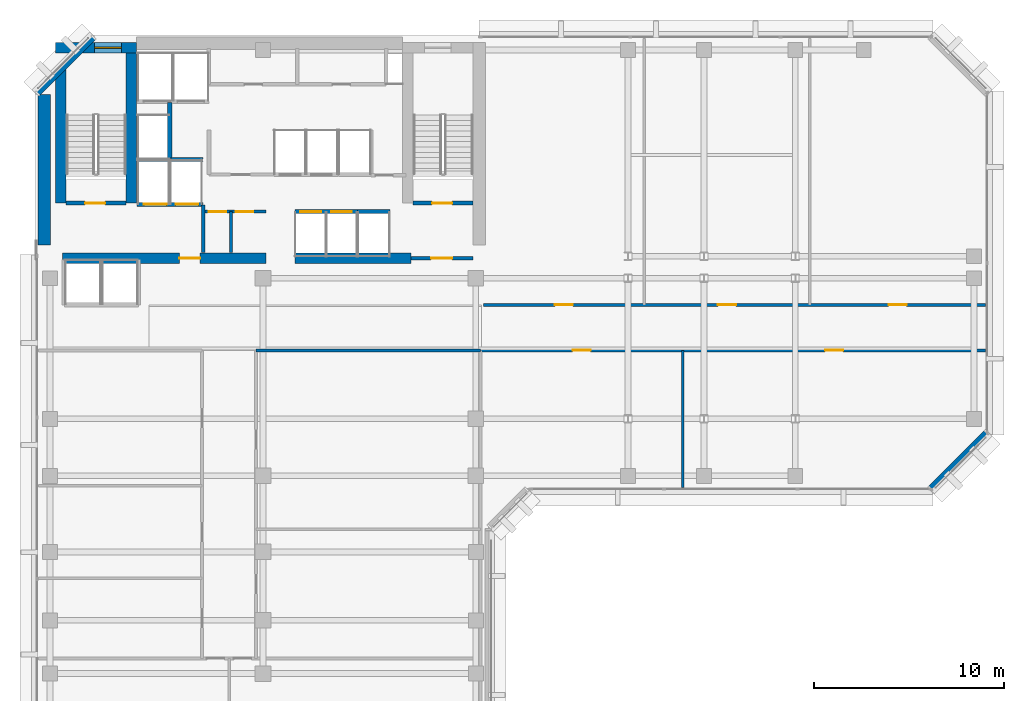
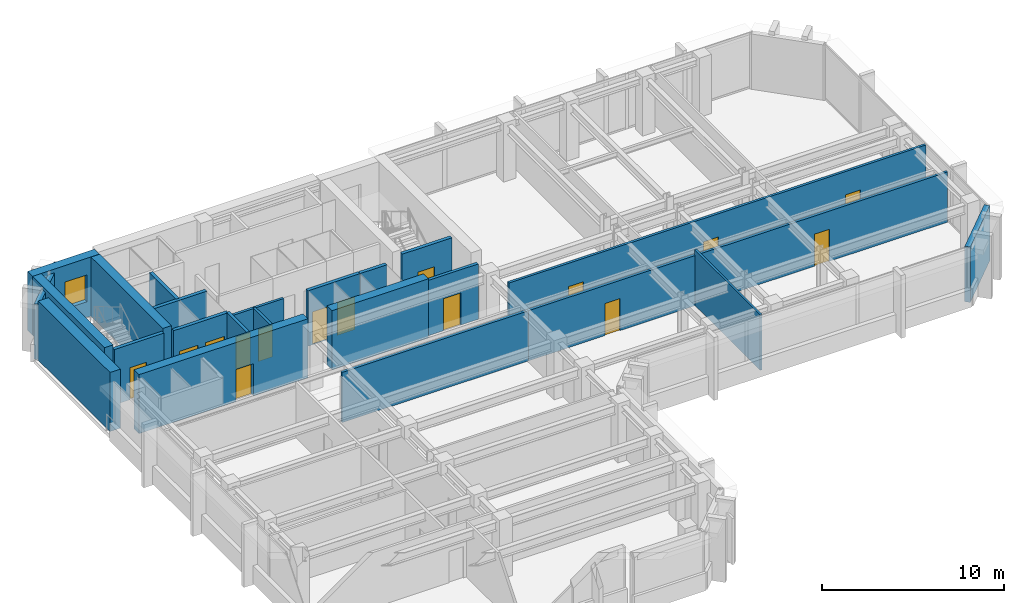
# One storey, part 7 of 12: 23 walls, 15 doors, 1 window, 16 openings.
"""IFC4 building model written with IfcOpenShell, lengths in metres."""

from ifc_helpers import new_model, si_unit, direction, frame, frame_2d, origin, place, context, subcontext, project, spatial, rectangle, extrude, material, layer, layer_set, type_object, element, fill, save


model = new_model("IFC4")

# Units and contexts
model_context = context("Model", 3, precision=1e-05, world=origin(), true_north=direction((0.0, 1.0)))
body_context = subcontext(model_context, "Body", "Model", "MODEL_VIEW")
ifc_project = project(units=[si_unit("LENGTHUNIT", "METRE"), si_unit("AREAUNIT", "SQUARE_METRE"), si_unit("VOLUMEUNIT", "CUBIC_METRE"), si_unit("PLANEANGLEUNIT", "RADIAN"), si_unit("MASSUNIT", "GRAM", prefix="KILO")], contexts=[model_context])

# Site, building, storey
site_placement = place(None, origin())
site = spatial("IfcSite", under=ifc_project, at=site_placement, CompositionType="ELEMENT")
building_placement = place(site_placement, origin())
building = spatial("IfcBuilding", under=site, at=building_placement, Name="Kefirva Bronze Tower", CompositionType="ELEMENT")
storey_placement = place(building_placement, frame((0.0, 0.0, 199.320068359375)))
storey = spatial("IfcBuildingStorey", under=building, at=storey_placement, Name="L48", CompositionType="ELEMENT", Elevation=199.320068359375)

# Wall
ifc_material_1 = material(Name="Gypsum acoustic partition")
ifc_layer_1 = layer(ifc_material_1, 0.1298828125, Name="Gypsum acoustic partition")
ifc_layer_set_1 = layer_set([ifc_layer_1], Name="Gypsum acoustic partition")
wall_type_1 = type_object("IfcWallType", Name="Acoustic Office Partition 130mm", PredefinedType="PARTITIONING", material=ifc_layer_set_1)
wall_1_placement = place(storey_placement, frame((34.073974609375, 22.18994140625, 0.0), z_axis=(0.0, 0.0, 1.0), x_axis=(0.0, 1.0, 0.0)))
element("IfcWall", 1, at=wall_1_placement, inside=storey, type_object=wall_type_1, Name="L48 Partition W-L48-ESD1", PredefinedType="PARTITIONING", context=body_context, shape_type="SweptSolid", body=[
    extrude(rectangle(XDim=7.2099609375, YDim=0.1298828125, at=frame_2d((3.60498046875, 0.0))), origin(), (0.0, 0.0, 1.0), 3.7099609375),
])

# Wall, opening, door
ifc_material_2 = material(Name="Gypsum fireboard shaftwall")
ifc_layer_2 = layer(ifc_material_2, 0.219970703125, Name="Gypsum fireboard shaftwall")
ifc_layer_set_2 = layer_set([ifc_layer_2], Name="Gypsum fireboard shaftwall")
wall_type_2 = type_object("IfcWallType", Name="Fire-Rated Shaft Enclosure Wall 220mm", PredefinedType="PARTITIONING", material=ifc_layer_set_2)
wall_2_placement = place(storey_placement, frame((1.64990234375, 37.14990234375, 0.0), z_axis=(0.0, 0.0, 1.0), x_axis=(1.0, 0.0, 0.0)))
wall_2 = element("IfcWall", 2, at=wall_2_placement, inside=storey, type_object=wall_type_2, Name="L48 Partition W-L48-ST1S", PredefinedType="PARTITIONING", context=body_context, shape_type="SweptSolid", body=[
    extrude(rectangle(XDim=3.150146484375, YDim=0.219970703125, at=frame_2d((1.5751953125, 0.0))), origin(), (0.0, 0.0, 1.0), 3.7099609375),
])
opening_1_placement = place(wall_2_placement, frame((2.050048828125, 0.0, 0.0), z_axis=(0.0, 0.0, 1.0), x_axis=(-1.0, 0.0, 0.0)))
opening_1 = element("IfcOpeningElement", 3, at=opening_1_placement, cuts=wall_2, Name="Opening L48-D001", PredefinedType="OPENING", context=body_context, shape_type="SweptSolid", body=[
    extrude(rectangle(XDim=1.050048828125, YDim=2.14990234375, at=frame_2d((0.52490234375, 1.074951171875))), frame((0.0, 0.1201171875, 0.0), z_axis=(0.0, -1.0, 0.0), x_axis=(1.0, 0.0, 0.0)), (0.0, 0.0, 1.0), 0.239990234375),
])
ifc_material_3 = material(Name="Painted galvanized steel", Category="steel")
door_type_1 = type_object("IfcDoorType", Name="Fire Stair Enclosure Door 1050x2150 FD90S", OperationType="NOTDEFINED", PredefinedType="DOOR", material=ifc_material_3)
door_1_placement = place(opening_1_placement, origin())
door_1 = element("IfcDoor", 4, at=door_1_placement, inside=storey, type_object=door_type_1, Name="Door L48-D001", OperationType="SINGLE_SWING_RIGHT", OverallHeight=2.14990234375, OverallWidth=1.050048828125, PredefinedType="DOOR", context=body_context, shape_type="SweptSolid", body=[
    extrude(rectangle(XDim=1.050048828125, YDim=2.14990234375, at=frame_2d((0.52490234375, 1.074951171875))), frame((0.0, 0.02490234375, 0.0), z_axis=(0.0, -1.0, 0.0), x_axis=(1.0, 0.0, 0.0)), (0.0, 0.0, 1.0), 0.050048828125),
])
fill(opening_1, door_1)

wall_3_placement = place(storey_placement, frame((19.89990234375, 37.14990234375, 0.0), z_axis=(0.0, 0.0, 1.0), x_axis=(1.0, 0.0, 0.0)))
wall_3 = element("IfcWall", 5, at=wall_3_placement, inside=storey, type_object=wall_type_2, Name="L48 Partition W-L48-ST2S", PredefinedType="PARTITIONING", context=body_context, shape_type="SweptSolid", body=[
    extrude(rectangle(XDim=3.150146484375, YDim=0.219970703125, at=frame_2d((1.5751953125, 0.0))), origin(), (0.0, 0.0, 1.0), 3.7099609375),
])
opening_2_placement = place(wall_3_placement, frame((2.050048828125, 0.0, 0.0), z_axis=(0.0, 0.0, 1.0), x_axis=(-1.0, 0.0, 0.0)))
opening_2 = element("IfcOpeningElement", 6, at=opening_2_placement, cuts=wall_3, Name="Opening L48-D003", PredefinedType="OPENING", context=body_context, shape_type="SweptSolid", body=[
    extrude(rectangle(XDim=1.050048828125, YDim=2.14990234375, at=frame_2d((0.52490234375, 1.074951171875))), frame((0.0, 0.1201171875, 0.0), z_axis=(0.0, -1.0, 0.0), x_axis=(1.0, 0.0, 0.0)), (0.0, 0.0, 1.0), 0.239990234375),
])
door_2_placement = place(opening_2_placement, origin())
door_2 = element("IfcDoor", 7, at=door_2_placement, inside=storey, type_object=door_type_1, Name="Door L48-D003", OperationType="SINGLE_SWING_RIGHT", OverallHeight=2.14990234375, OverallWidth=1.050048828125, PredefinedType="DOOR", context=body_context, shape_type="SweptSolid", body=[
    extrude(rectangle(XDim=1.050048828125, YDim=2.14990234375, at=frame_2d((0.52490234375, 1.074951171875))), frame((0.0, 0.02490234375, 0.0), z_axis=(0.0, -1.0, 0.0), x_axis=(1.0, 0.0, 0.0)), (0.0, 0.0, 1.0), 0.050048828125),
])
fill(opening_2, door_2)

# Wall, openings, doors
wall_4_placement = place(storey_placement, frame((5.3798828125, 37.080078125, 0.0), z_axis=(0.0, 0.0, 1.0), x_axis=(1.0, 0.0, 0.0)))
wall_4 = element("IfcWall", 8, at=wall_4_placement, inside=storey, type_object=wall_type_2, Name="L48 Partition W-L48-FFS", PredefinedType="PARTITIONING", context=body_context, shape_type="SweptSolid", body=[
    extrude(rectangle(XDim=3.460205078125, YDim=0.219970703125, at=frame_2d((1.72998046875, 0.0))), origin(), (0.0, 0.0, 1.0), 3.7099609375),
])
opening_3_placement = place(wall_4_placement, frame((1.550048828125, 0.0, 0.0), z_axis=(0.0, 0.0, 1.0), x_axis=(-1.0, 0.0, 0.0)))
opening_3 = element("IfcOpeningElement", 9, at=opening_3_placement, cuts=wall_4, Name="Opening L48-LD-FF1", PredefinedType="OPENING", context=body_context, shape_type="SweptSolid", body=[
    extrude(rectangle(XDim=1.199951171875, YDim=2.199951171875, at=frame_2d((0.60009765625, 1.10009765625))), frame((0.0, 0.1201171875, 0.0), z_axis=(0.0, -1.0, 0.0), x_axis=(1.0, 0.0, 0.0)), (0.0, 0.0, 1.0), 0.239990234375),
])
opening_4_placement = place(wall_4_placement, frame((3.219970703125, 0.0, 0.0), z_axis=(0.0, 0.0, 1.0), x_axis=(-1.0, 0.0, 0.0)))
opening_4 = element("IfcOpeningElement", 10, at=opening_4_placement, cuts=wall_4, Name="Opening L48-LD-FF2", PredefinedType="OPENING", context=body_context, shape_type="SweptSolid", body=[
    extrude(rectangle(XDim=1.199951171875, YDim=2.199951171875, at=frame_2d((0.60009765625, 1.10009765625))), frame((0.0, 0.1201171875, 0.0), z_axis=(0.0, -1.0, 0.0), x_axis=(1.0, 0.0, 0.0)), (0.0, 0.0, 1.0), 0.239990234375),
])
ifc_material_4 = material(Name="Stainless steel 316", Category="steel")
door_type_2 = type_object("IfcDoorType", Name="Firefighting Lift Sliding Door 1200x2200", OperationType="SLIDING_TO_RIGHT", PredefinedType="DOOR", material=ifc_material_4)
door_3_placement = place(opening_3_placement, origin())
door_3 = element("IfcDoor", 11, at=door_3_placement, inside=storey, type_object=door_type_2, Name="Door L48-LD-FF1", OperationType="SLIDING_TO_RIGHT", OverallHeight=2.199951171875, OverallWidth=1.199951171875, PredefinedType="DOOR", context=body_context, shape_type="SweptSolid", body=[
    extrude(rectangle(XDim=1.199951171875, YDim=2.199951171875, at=frame_2d((0.60009765625, 1.10009765625))), frame((0.0, 0.02490234375, 0.0), z_axis=(0.0, -1.0, 0.0), x_axis=(1.0, 0.0, 0.0)), (0.0, 0.0, 1.0), 0.050048828125),
])
fill(opening_3, door_3)
door_4_placement = place(opening_4_placement, origin())
door_4 = element("IfcDoor", 12, at=door_4_placement, inside=storey, type_object=door_type_2, Name="Door L48-LD-FF2", OperationType="SLIDING_TO_RIGHT", OverallHeight=2.199951171875, OverallWidth=1.199951171875, PredefinedType="DOOR", context=body_context, shape_type="SweptSolid", body=[
    extrude(rectangle(XDim=1.199951171875, YDim=2.199951171875, at=frame_2d((0.60009765625, 1.10009765625))), frame((0.0, 0.02490234375, 0.0), z_axis=(0.0, -1.0, 0.0), x_axis=(1.0, 0.0, 0.0)), (0.0, 0.0, 1.0), 0.050048828125),
])
fill(opening_4, door_4)

# Walls
wall_5_placement = place(storey_placement, frame((5.3798828125, 39.449951171875, 0.0), z_axis=(0.0, 0.0, 1.0), x_axis=(1.0, 0.0, 0.0)))
element("IfcWall", 13, at=wall_5_placement, inside=storey, type_object=wall_type_2, Name="L48 Partition W-L48-FFN", PredefinedType="PARTITIONING", context=body_context, shape_type="SweptSolid", body=[
    extrude(rectangle(XDim=3.460205078125, YDim=0.219970703125, at=frame_2d((1.72998046875, 0.0))), origin(), (0.0, 0.0, 1.0), 3.7099609375),
])
wall_6_placement = place(storey_placement, frame((7.10009765625, 39.52001953125, 0.0), z_axis=(0.0, 0.0, 1.0), x_axis=(0.0, 1.0, 0.0)))
element("IfcWall", 14, at=wall_6_placement, inside=storey, type_object=wall_type_2, Name="L48 Partition W-L48-HP3E", PredefinedType="PARTITIONING", context=body_context, shape_type="SweptSolid", body=[
    extrude(rectangle(XDim=2.929931640625, YDim=0.219970703125, at=frame_2d((1.46484375, 0.0))), origin(), (0.0, 0.0, 1.0), 3.7099609375),
])

# Wall, openings, doors
wall_7_placement = place(storey_placement, frame((13.679931640625, 36.699951171875, 0.0), z_axis=(0.0, 0.0, 1.0), x_axis=(1.0, 0.0, 0.0)))
wall_7 = element("IfcWall", 15, at=wall_7_placement, inside=storey, type_object=wall_type_2, Name="L48 Partition W-L48-MPS", PredefinedType="PARTITIONING", context=body_context, shape_type="SweptSolid", body=[
    extrude(rectangle(XDim=3.280029296875, YDim=0.219970703125, at=frame_2d((1.64013671875, 0.0))), origin(), (0.0, 0.0, 1.0), 3.7099609375),
])
opening_5_placement = place(wall_7_placement, frame((0.280029296875, 0.0, 0.0)))
opening_5 = element("IfcOpeningElement", 16, at=opening_5_placement, cuts=wall_7, Name="Opening L48-LD-MP1", PredefinedType="OPENING", context=body_context, shape_type="SweptSolid", body=[
    extrude(rectangle(XDim=1.10009765625, YDim=2.199951171875, at=frame_2d((0.550048828125, 1.10009765625))), frame((0.0, 0.1201171875, 0.0), z_axis=(0.0, -1.0, 0.0), x_axis=(1.0, 0.0, 0.0)), (0.0, 0.0, 1.0), 0.239990234375),
])
opening_6_placement = place(wall_7_placement, frame((1.89990234375, 0.0, 0.0)))
opening_6 = element("IfcOpeningElement", 17, at=opening_6_placement, cuts=wall_7, Name="Opening L48-LD-MP2", PredefinedType="OPENING", context=body_context, shape_type="SweptSolid", body=[
    extrude(rectangle(XDim=1.10009765625, YDim=2.199951171875, at=frame_2d((0.550048828125, 1.10009765625))), frame((0.0, 0.1201171875, 0.0), z_axis=(0.0, -1.0, 0.0), x_axis=(1.0, 0.0, 0.0)), (0.0, 0.0, 1.0), 0.239990234375),
])
door_type_3 = type_object("IfcDoorType", Name="Passenger Lift Sliding Landing Door 1100x2200", OperationType="SLIDING_TO_LEFT", PredefinedType="DOOR", material=ifc_material_4)
door_5_placement = place(opening_5_placement, origin())
door_5 = element("IfcDoor", 18, at=door_5_placement, inside=storey, type_object=door_type_3, Name="Door L48-LD-MP1", OperationType="SLIDING_TO_RIGHT", OverallHeight=2.199951171875, OverallWidth=1.10009765625, PredefinedType="DOOR", context=body_context, shape_type="SweptSolid", body=[
    extrude(rectangle(XDim=1.10009765625, YDim=2.199951171875, at=frame_2d((0.550048828125, 1.10009765625))), frame((0.0, 0.02490234375, 0.0), z_axis=(0.0, -1.0, 0.0), x_axis=(1.0, 0.0, 0.0)), (0.0, 0.0, 1.0), 0.050048828125),
])
fill(opening_5, door_5)
door_6_placement = place(opening_6_placement, origin())
door_6 = element("IfcDoor", 19, at=door_6_placement, inside=storey, type_object=door_type_3, Name="Door L48-LD-MP2", OperationType="SLIDING_TO_RIGHT", OverallHeight=2.199951171875, OverallWidth=1.10009765625, PredefinedType="DOOR", context=body_context, shape_type="SweptSolid", body=[
    extrude(rectangle(XDim=1.10009765625, YDim=2.199951171875, at=frame_2d((0.550048828125, 1.10009765625))), frame((0.0, 0.02490234375, 0.0), z_axis=(0.0, -1.0, 0.0), x_axis=(1.0, 0.0, 0.0)), (0.0, 0.0, 1.0), 0.050048828125),
])
fill(opening_6, door_6)

# Walls
wall_8_placement = place(storey_placement, frame((16.97998046875, 36.699951171875, 0.0), z_axis=(0.0, 0.0, 1.0), x_axis=(1.0, 0.0, 0.0)))
element("IfcWall", 20, at=wall_8_placement, inside=storey, type_object=wall_type_2, Name="L48 Partition W-L48-HPS", PredefinedType="PARTITIONING", context=body_context, shape_type="SweptSolid", body=[
    extrude(rectangle(XDim=1.699951171875, YDim=0.219970703125, at=frame_2d((0.85009765625, 0.0))), origin(), (0.0, 0.0, 1.0), 3.7099609375),
])
ifc_material_5 = material(Name="Gypsum fireboard barrier")
ifc_layer_3 = layer(ifc_material_5, 0.199951171875, Name="Gypsum fireboard barrier")
ifc_layer_set_3 = layer_set([ifc_layer_3], Name="Gypsum fireboard barrier")
wall_type_3 = type_object("IfcWallType", Name="Firefighting Lobby Barrier Wall 200mm", PredefinedType="PARTITIONING", material=ifc_layer_set_3)
wall_9_placement = place(storey_placement, frame((8.860107421875, 34.550048828125, 0.0), z_axis=(0.0, 0.0, 1.0), x_axis=(0.0, 1.0, 0.0)))
element("IfcWall", 21, at=wall_9_placement, inside=storey, type_object=wall_type_3, Name="L48 Partition W-L48-FFLE", PredefinedType="PARTITIONING", context=body_context, shape_type="SweptSolid", body=[
    extrude(rectangle(XDim=2.5, YDim=0.199951171875, at=frame_2d((1.25, 0.0))), origin(), (0.0, 0.0, 1.0), 3.7099609375),
])

# Wall, opening, door
wall_10_placement = place(storey_placement, frame((19.800048828125, 34.25, 0.0), z_axis=(0.0, 0.0, 1.0), x_axis=(1.0, 0.0, 0.0)))
wall_10 = element("IfcWall", 22, at=wall_10_placement, inside=storey, type_object=wall_type_3, Name="L48 Partition W-L48-ST2F", PredefinedType="PARTITIONING", context=body_context, shape_type="SweptSolid", body=[
    extrude(rectangle(XDim=3.25, YDim=0.199951171875, at=frame_2d((1.625, 0.0))), origin(), (0.0, 0.0, 1.0), 3.7099609375),
])
opening_7_placement = place(wall_10_placement, frame((2.150146484375, 0.0, 0.0), z_axis=(0.0, 0.0, 1.0), x_axis=(-1.0, 0.0, 0.0)))
opening_7 = element("IfcOpeningElement", 23, at=opening_7_placement, cuts=wall_10, Name="Opening L48-D004", PredefinedType="OPENING", context=body_context, shape_type="SweptSolid", body=[
    extrude(rectangle(XDim=1.10009765625, YDim=2.14990234375, at=frame_2d((0.550048828125, 1.074951171875))), frame((0.0, 0.10986328125, 0.0), z_axis=(0.0, -1.0, 0.0), x_axis=(1.0, 0.0, 0.0)), (0.0, 0.0, 1.0), 0.219970703125),
])
door_type_4 = type_object("IfcDoorType", Name="Firefighting Lobby Smoke Door 1100x2150 FD60S", OperationType="NOTDEFINED", PredefinedType="DOOR", material=ifc_material_3)
door_7_placement = place(opening_7_placement, origin())
door_7 = element("IfcDoor", 24, at=door_7_placement, inside=storey, type_object=door_type_4, Name="Door L48-D004", OperationType="SINGLE_SWING_LEFT", OverallHeight=2.14990234375, OverallWidth=1.10009765625, PredefinedType="DOOR", context=body_context, shape_type="SweptSolid", body=[
    extrude(rectangle(XDim=1.10009765625, YDim=2.14990234375, at=frame_2d((0.550048828125, 1.074951171875))), frame((0.0, 0.02490234375, 0.0), z_axis=(0.0, -1.0, 0.0), x_axis=(1.0, 0.0, 0.0)), (0.0, 0.0, 1.0), 0.050048828125),
])
fill(opening_7, door_7)

# Walls
ifc_material_6 = material(Name="Precast concrete C40/50", Category="concrete")
ifc_layer_4 = layer(ifc_material_6, 0.320068359375, Name="Precast concrete C40/50")
ifc_layer_set_4 = layer_set([ifc_layer_4], Name="Precast concrete C40/50")
wall_type_4 = type_object("IfcWallType", Name="Precast Insulated Exterior Wall 320mm", PredefinedType="SOLIDWALL", material=ifc_layer_set_4)
for number, where, z_axis, x_axis, name in (
    (25, (47.125732421875, 22.152099609375, 0.0), (0.0, 0.0, 1.0), (0.707136318428, 0.707077242712, 0.0), "L48 Exterior Facade Wall 7"),
    (26, (3.07421875, 45.847900390625, 0.0), (0.0, 0.0, 1.0), (-0.707106781187, -0.707106781187, 0.0), "L48 Exterior Facade Wall 9"),
):
    element("IfcWall", number, at=place(storey_placement, frame(where, z_axis=z_axis, x_axis=x_axis)), inside=storey, type_object=wall_type_4, Name=name, PredefinedType="SOLIDWALL", context=body_context, shape_type="SweptSolid", body=[
        extrude(rectangle(XDim=4.132568359375, YDim=0.320068359375, at=frame_2d((2.06640625, 0.0))), origin(), (0.0, 0.0, 1.0), 3.7099609375),
    ])

# Wall, openings, doors
ifc_layer_5 = layer(ifc_material_1, 0.159912109375, Name="Gypsum acoustic partition")
ifc_layer_set_5 = layer_set([ifc_layer_5], Name="Gypsum acoustic partition")
wall_type_5 = type_object("IfcWallType", Name="Protected Corridor Partition 160mm", PredefinedType="PARTITIONING", material=ifc_layer_set_5)
wall_11_placement = place(storey_placement, frame((8.89990234375, 36.699951171875, 0.0), z_axis=(0.0, 0.0, 1.0), x_axis=(1.0, 0.0, 0.0)))
wall_11 = element("IfcWall", 27, at=wall_11_placement, inside=storey, type_object=wall_type_5, Name="L48 Partition W-L48-RECLP1", PredefinedType="PARTITIONING", context=body_context, shape_type="SweptSolid", body=[
    extrude(rectangle(XDim=3.25, YDim=0.159912109375, at=frame_2d((1.625, 0.0))), origin(), (0.0, 0.0, 1.0), 3.7099609375),
])
opening_8_placement = place(wall_11_placement, frame((0.260009765625, 0.0, 0.0)))
opening_8 = element("IfcOpeningElement", 28, at=opening_8_placement, cuts=wall_11, Name="Opening L48-D-RECLP1A", PredefinedType="OPENING", context=body_context, shape_type="SweptSolid", body=[
    extrude(rectangle(XDim=0.89990234375, YDim=2.14990234375, at=frame_2d((0.449951171875, 1.074951171875))), frame((0.0, 0.08984375, 0.0), z_axis=(0.0, -1.0, 0.0), x_axis=(1.0, 0.0, 0.0)), (0.0, 0.0, 1.0), 0.179931640625),
])
opening_9_placement = place(wall_11_placement, frame((1.679931640625, 0.0, 0.0)))
opening_9 = element("IfcOpeningElement", 29, at=opening_9_placement, cuts=wall_11, Name="Opening L48-D-RECLP1B", PredefinedType="OPENING", context=body_context, shape_type="SweptSolid", body=[
    extrude(rectangle(XDim=0.89990234375, YDim=2.14990234375, at=frame_2d((0.449951171875, 1.074951171875))), frame((0.0, 0.08984375, 0.0), z_axis=(0.0, -1.0, 0.0), x_axis=(1.0, 0.0, 0.0)), (0.0, 0.0, 1.0), 0.179931640625),
])
door_type_5 = type_object("IfcDoorType", Name="Core Archive & Server Fire Door 900x2150 FD60S", OperationType="NOTDEFINED", PredefinedType="DOOR", material=ifc_material_3)
door_8_placement = place(opening_8_placement, origin())
door_8 = element("IfcDoor", 30, at=door_8_placement, inside=storey, type_object=door_type_5, Name="Door L48-D-RECLP1A", OperationType="SINGLE_SWING_LEFT", OverallHeight=2.14990234375, OverallWidth=0.89990234375, PredefinedType="DOOR", context=body_context, shape_type="SweptSolid", body=[
    extrude(rectangle(XDim=0.89990234375, YDim=2.14990234375, at=frame_2d((0.449951171875, 1.074951171875))), frame((0.0, 0.02490234375, 0.0), z_axis=(0.0, -1.0, 0.0), x_axis=(1.0, 0.0, 0.0)), (0.0, 0.0, 1.0), 0.050048828125),
])
fill(opening_8, door_8)
door_9_placement = place(opening_9_placement, origin())
door_9 = element("IfcDoor", 31, at=door_9_placement, inside=storey, type_object=door_type_5, Name="Door L48-D-RECLP1B", OperationType="SINGLE_SWING_RIGHT", OverallHeight=2.14990234375, OverallWidth=0.89990234375, PredefinedType="DOOR", context=body_context, shape_type="SweptSolid", body=[
    extrude(rectangle(XDim=0.89990234375, YDim=2.14990234375, at=frame_2d((0.449951171875, 1.074951171875))), frame((0.0, 0.02490234375, 0.0), z_axis=(0.0, -1.0, 0.0), x_axis=(1.0, 0.0, 0.0)), (0.0, 0.0, 1.0), 0.050048828125),
])
fill(opening_9, door_9)

# Walls
wall_12_placement = place(storey_placement, frame((10.320068359375, 34.550048828125, 0.0), z_axis=(0.0, 0.0, 1.0), x_axis=(0.0, 1.0, 0.0)))
element("IfcWall", 32, at=wall_12_placement, inside=storey, type_object=wall_type_5, Name="L48 Partition W-L48-RECLP1D", PredefinedType="PARTITIONING", context=body_context, shape_type="SweptSolid", body=[
    extrude(rectangle(XDim=2.14990234375, YDim=0.159912109375, at=frame_2d((1.074951171875, 0.0))), origin(), (0.0, 0.0, 1.0), 3.7099609375),
])
wall_13_placement = place(storey_placement, frame((11.639892578125, 29.39990234375, 0.0), z_axis=(0.0, 0.0, 1.0), x_axis=(1.0, 0.0, 0.0)))
element("IfcWall", 33, at=wall_13_placement, inside=storey, type_object=wall_type_5, Name="L48 Partition W-L48-NET", PredefinedType="PARTITIONING", context=body_context, shape_type="SweptSolid", body=[
    extrude(rectangle(XDim=11.81005859375, YDim=0.159912109375, at=frame_2d((5.905029296875, 0.0))), origin(), (0.0, 0.0, 1.0), 3.364990234375),
])

# Wall, openings, doors
wall_14_placement = place(storey_placement, frame((23.449951171875, 29.39990234375, 0.0), z_axis=(0.0, 0.0, 1.0), x_axis=(1.0, 0.0, 0.0)))
wall_14 = element("IfcWall", 34, at=wall_14_placement, inside=storey, type_object=wall_type_5, Name="L48 Partition W-L48-EWS", PredefinedType="PARTITIONING", context=body_context, shape_type="SweptSolid", body=[
    extrude(rectangle(XDim=26.56005859375, YDim=0.159912109375, at=frame_2d((13.280029296875, 0.0))), origin(), (0.0, 0.0, 1.0), 3.364990234375),
])
opening_10_placement = place(wall_14_placement, frame((5.786865234375, 0.0, 0.0), z_axis=(0.0, 0.0, 1.0), x_axis=(-1.0, 0.0, 0.0)))
opening_10 = element("IfcOpeningElement", 35, at=opening_10_placement, cuts=wall_14, Name="Opening L48-D-ES1", PredefinedType="OPENING", context=body_context, shape_type="SweptSolid", body=[
    extrude(rectangle(XDim=0.949951171875, YDim=2.14990234375, at=frame_2d((0.47509765625, 1.074951171875))), frame((0.0, 0.08984375, 0.0), z_axis=(0.0, -1.0, 0.0), x_axis=(1.0, 0.0, 0.0)), (0.0, 0.0, 1.0), 0.179931640625),
])
opening_11_placement = place(wall_14_placement, frame((19.06689453125, 0.0, 0.0), z_axis=(0.0, 0.0, 1.0), x_axis=(-1.0, 0.0, 0.0)))
opening_11 = element("IfcOpeningElement", 36, at=opening_11_placement, cuts=wall_14, Name="Opening L48-D-ES2", PredefinedType="OPENING", context=body_context, shape_type="SweptSolid", body=[
    extrude(rectangle(XDim=0.949951171875, YDim=2.14990234375, at=frame_2d((0.47509765625, 1.074951171875))), frame((0.0, 0.08984375, 0.0), z_axis=(0.0, -1.0, 0.0), x_axis=(1.0, 0.0, 0.0)), (0.0, 0.0, 1.0), 0.179931640625),
])
ifc_material_7 = material(Name="Acoustic hardwood oak", Category="wood")
door_type_6 = type_object("IfcDoorType", Name="Office & Meeting Room Door 950x2150", OperationType="NOTDEFINED", PredefinedType="DOOR", material=ifc_material_7)
door_10_placement = place(opening_10_placement, origin())
door_10 = element("IfcDoor", 37, at=door_10_placement, inside=storey, type_object=door_type_6, Name="Door L48-D-ES1", OperationType="SINGLE_SWING_LEFT", OverallHeight=2.14990234375, OverallWidth=0.949951171875, PredefinedType="DOOR", context=body_context, shape_type="SweptSolid", body=[
    extrude(rectangle(XDim=0.949951171875, YDim=2.14990234375, at=frame_2d((0.47509765625, 1.074951171875))), frame((0.0, 0.02490234375, 0.0), z_axis=(0.0, -1.0, 0.0), x_axis=(1.0, 0.0, 0.0)), (0.0, 0.0, 1.0), 0.050048828125),
])
fill(opening_10, door_10)
door_11_placement = place(opening_11_placement, origin())
door_11 = element("IfcDoor", 38, at=door_11_placement, inside=storey, type_object=door_type_6, Name="Door L48-D-ES2", OperationType="SINGLE_SWING_RIGHT", OverallHeight=2.14990234375, OverallWidth=0.949951171875, PredefinedType="DOOR", context=body_context, shape_type="SweptSolid", body=[
    extrude(rectangle(XDim=0.949951171875, YDim=2.14990234375, at=frame_2d((0.47509765625, 1.074951171875))), frame((0.0, 0.02490234375, 0.0), z_axis=(0.0, -1.0, 0.0), x_axis=(1.0, 0.0, 0.0)), (0.0, 0.0, 1.0), 0.050048828125),
])
fill(opening_11, door_11)

wall_15_placement = place(storey_placement, frame((23.60009765625, 31.800048828125, 0.0), z_axis=(0.0, 0.0, 1.0), x_axis=(1.0, 0.0, 0.0)))
wall_15 = element("IfcWall", 39, at=wall_15_placement, inside=storey, type_object=wall_type_5, Name="L48 Partition W-L48-EWN", PredefinedType="PARTITIONING", context=body_context, shape_type="SweptSolid", body=[
    extrude(rectangle(XDim=26.409912109375, YDim=0.159912109375, at=frame_2d((13.205078125, 0.0))), origin(), (0.0, 0.0, 1.0), 3.7099609375),
])
opening_12_placement = place(wall_15_placement, frame((3.75048828125, 0.0, 0.0)))
opening_12 = element("IfcOpeningElement", 40, at=opening_12_placement, cuts=wall_15, Name="Opening L48-D-EN1", PredefinedType="OPENING", context=body_context, shape_type="SweptSolid", body=[
    extrude(rectangle(XDim=0.949951171875, YDim=2.14990234375, at=frame_2d((0.47509765625, 1.074951171875))), frame((0.0, 0.08984375, 0.0), z_axis=(0.0, -1.0, 0.0), x_axis=(1.0, 0.0, 0.0)), (0.0, 0.0, 1.0), 0.179931640625),
])
opening_13_placement = place(wall_15_placement, frame((12.333740234375, 0.0, 0.0)))
opening_13 = element("IfcOpeningElement", 41, at=opening_13_placement, cuts=wall_15, Name="Opening L48-D-EN2", PredefinedType="OPENING", context=body_context, shape_type="SweptSolid", body=[
    extrude(rectangle(XDim=0.949951171875, YDim=2.14990234375, at=frame_2d((0.47509765625, 1.074951171875))), frame((0.0, 0.08984375, 0.0), z_axis=(0.0, -1.0, 0.0), x_axis=(1.0, 0.0, 0.0)), (0.0, 0.0, 1.0), 0.179931640625),
])
opening_14_placement = place(wall_15_placement, frame((21.313232421875, 0.0, 0.0)))
opening_14 = element("IfcOpeningElement", 42, at=opening_14_placement, cuts=wall_15, Name="Opening L48-D-EN3", PredefinedType="OPENING", context=body_context, shape_type="SweptSolid", body=[
    extrude(rectangle(XDim=0.949951171875, YDim=2.14990234375, at=frame_2d((0.47509765625, 1.074951171875))), frame((0.0, 0.08984375, 0.0), z_axis=(0.0, -1.0, 0.0), x_axis=(1.0, 0.0, 0.0)), (0.0, 0.0, 1.0), 0.179931640625),
])
door_12_placement = place(opening_12_placement, origin())
door_12 = element("IfcDoor", 43, at=door_12_placement, inside=storey, type_object=door_type_6, Name="Door L48-D-EN1", OperationType="SINGLE_SWING_LEFT", OverallHeight=2.14990234375, OverallWidth=0.949951171875, PredefinedType="DOOR", context=body_context, shape_type="SweptSolid", body=[
    extrude(rectangle(XDim=0.949951171875, YDim=2.14990234375, at=frame_2d((0.47509765625, 1.074951171875))), frame((0.0, 0.02490234375, 0.0), z_axis=(0.0, -1.0, 0.0), x_axis=(1.0, 0.0, 0.0)), (0.0, 0.0, 1.0), 0.050048828125),
])
fill(opening_12, door_12)
door_13_placement = place(opening_13_placement, origin())
door_13 = element("IfcDoor", 44, at=door_13_placement, inside=storey, type_object=door_type_6, Name="Door L48-D-EN2", OperationType="SINGLE_SWING_RIGHT", OverallHeight=2.14990234375, OverallWidth=0.949951171875, PredefinedType="DOOR", context=body_context, shape_type="SweptSolid", body=[
    extrude(rectangle(XDim=0.949951171875, YDim=2.14990234375, at=frame_2d((0.47509765625, 1.074951171875))), frame((0.0, 0.02490234375, 0.0), z_axis=(0.0, -1.0, 0.0), x_axis=(1.0, 0.0, 0.0)), (0.0, 0.0, 1.0), 0.050048828125),
])
fill(opening_13, door_13)
door_14_placement = place(opening_14_placement, origin())
door_14 = element("IfcDoor", 45, at=door_14_placement, inside=storey, type_object=door_type_6, Name="Door L48-D-EN3", OperationType="SINGLE_SWING_LEFT", OverallHeight=2.14990234375, OverallWidth=0.949951171875, PredefinedType="DOOR", context=body_context, shape_type="SweptSolid", body=[
    extrude(rectangle(XDim=0.949951171875, YDim=2.14990234375, at=frame_2d((0.47509765625, 1.074951171875))), frame((0.0, 0.02490234375, 0.0), z_axis=(0.0, -1.0, 0.0), x_axis=(1.0, 0.0, 0.0)), (0.0, 0.0, 1.0), 0.050048828125),
])
fill(opening_14, door_14)

# Wall, opening, window
ifc_material_8 = material(Name="Concrete C50/60", Category="concrete")
ifc_layer_6 = layer(ifc_material_8, 0.550048828125, Name="Concrete C50/60")
ifc_layer_set_6 = layer_set([ifc_layer_6], Name="Concrete C50/60")
wall_type_6 = type_object("IfcWallType", Name="RC Rear Core Exterior Wall 550mm", PredefinedType="SHEAR", material=ifc_layer_set_6)
wall_16_placement = place(storey_placement, frame((1.10009765625, 45.320068359375, 0.0), z_axis=(0.0, 0.0, 1.0), x_axis=(1.0, 0.0, 0.0)))
wall_16 = element("IfcWall", 46, at=wall_16_placement, inside=storey, type_object=wall_type_6, Name="L48 Stair 1 North Shear Wall", PredefinedType="SHEAR", context=body_context, shape_type="SweptSolid", body=[
    extrude(rectangle(XDim=4.239990234375, YDim=0.550048828125, at=frame_2d((2.1201171875, 0.0))), origin(), (0.0, 0.0, 1.0), 3.9599609375),
])
opening_15_placement = place(wall_16_placement, frame((2.050048828125, 0.0, 1.050048828125)))
opening_15 = element("IfcOpeningElement", 47, at=opening_15_placement, cuts=wall_16, Name="Opening WN-03", PredefinedType="OPENING", context=body_context, shape_type="SweptSolid", body=[
    extrude(rectangle(XDim=1.39990234375, YDim=1.800048828125, at=frame_2d((0.699951171875, 0.89990234375))), frame((0.0, 0.28515625, 0.0), z_axis=(0.0, -1.0, 0.0), x_axis=(1.0, 0.0, 0.0)), (0.0, 0.0, 1.0), 0.570068359375),
])
ifc_material_9 = material(Name="Laminated low-E double glazing", Category="glass")
window_type = type_object("IfcWindowType", Name="Rear-Core Stair Daylight Window 1400x1800", PartitioningType="SINGLE_PANEL", PredefinedType="WINDOW", material=ifc_material_9)
window_placement = place(opening_15_placement, origin())
window = element("IfcWindow", 48, at=window_placement, inside=storey, type_object=window_type, Name="L48 Stair 1 Daylight Window", OverallHeight=1.800048828125, OverallWidth=1.39990234375, PartitioningType="SINGLE_PANEL", PredefinedType="WINDOW", context=body_context, shape_type="SweptSolid", body=[
    extrude(rectangle(XDim=1.39990234375, YDim=1.800048828125, at=frame_2d((0.699951171875, 0.89990234375))), frame((0.0, 0.030029296875, 0.0), z_axis=(0.0, -1.0, 0.0), x_axis=(1.0, 0.0, 0.0)), (0.0, 0.0, 1.0), 0.06005859375),
])
fill(opening_15, window)

# Walls
ifc_layer_7 = layer(ifc_material_8, 0.64990234375, Name="Concrete C50/60")
ifc_layer_set_7 = layer_set([ifc_layer_7], Name="Concrete C50/60")
wall_type_7 = type_object("IfcWallType", Name="RC Rear Core Exterior Wall 650mm", PredefinedType="SHEAR", material=ifc_layer_set_7)
wall_17_placement = place(storey_placement, frame((0.5, 34.949951171875, 0.0), z_axis=(0.0, 0.0, 1.0), x_axis=(0.0, 1.0, 0.0)))
element("IfcWall", 49, at=wall_17_placement, inside=storey, type_object=wall_type_7, Name="L48 Rear Core West Shear Wall", PredefinedType="SHEAR", context=body_context, shape_type="SweptSolid", body=[
    extrude(rectangle(XDim=7.900146484375, YDim=0.64990234375, at=frame_2d((3.9501953125, 0.0))), origin(), (0.0, 0.0, 1.0), 3.9599609375),
])
ifc_layer_8 = layer(ifc_material_8, 0.550048828125, Name="Concrete C50/60")
ifc_layer_set_8 = layer_set([ifc_layer_8], Name="Concrete C50/60")
wall_type_8 = type_object("IfcWallType", Name="RC Rear Core Interior Wall 550mm", PredefinedType="SHEAR", material=ifc_layer_set_8)
for number, where, z_axis, x_axis, name in (
    (50, (1.3701171875, 37.14990234375, 0.0), (0.0, 0.0, 1.0), (0.0, 1.0, 0.0), "L48 Stair 1 West Shear Wall"),
    (51, (5.070068359375, 37.14990234375, 0.0), (0.0, 0.0, 1.0), (0.0, 1.0, 0.0), "L48 Stair 1 East Shear Wall"),
):
    element("IfcWall", number, at=place(storey_placement, frame(where, z_axis=z_axis, x_axis=x_axis)), inside=storey, type_object=wall_type_8, Name=name, PredefinedType="SHEAR", context=body_context, shape_type="SweptSolid", body=[
        extrude(rectangle(XDim=7.89013671875, YDim=0.550048828125, at=frame_2d((3.945068359375, 0.0))), origin(), (0.0, 0.0, 1.0), 3.9599609375),
    ])

# Wall, opening, door
ifc_layer_9 = layer(ifc_material_8, 0.64990234375, Name="Concrete C50/60")
ifc_layer_set_9 = layer_set([ifc_layer_9], Name="Concrete C50/60")
wall_type_9 = type_object("IfcWallType", Name="RC Rear Core Interior Wall 650mm", PredefinedType="SHEAR", material=ifc_layer_set_9)
wall_18_placement = place(storey_placement, frame((1.449951171875, 34.25, 0.0), z_axis=(0.0, 0.0, 1.0), x_axis=(1.0, 0.0, 0.0)))
wall_18 = element("IfcWall", 52, at=wall_18_placement, inside=storey, type_object=wall_type_9, Name="L48 Rear Core South-West Shear Wall", PredefinedType="SHEAR", context=body_context, shape_type="SweptSolid", body=[
    extrude(rectangle(XDim=10.7099609375, YDim=0.550048828125, at=frame_2d((5.35498046875, 0.0))), origin(), (0.0, 0.0, 1.0), 3.9599609375),
])
opening_16_placement = place(wall_18_placement, frame((7.25, 0.0, 0.0), z_axis=(0.0, 0.0, 1.0), x_axis=(-1.0, 0.0, 0.0)))
opening_16 = element("IfcOpeningElement", 53, at=opening_16_placement, cuts=wall_18, Name="Opening L48-D002", PredefinedType="OPENING", context=body_context, shape_type="SweptSolid", body=[
    extrude(rectangle(XDim=1.10009765625, YDim=2.14990234375, at=frame_2d((0.550048828125, 1.074951171875))), frame((0.0, 0.28515625, 0.0), z_axis=(0.0, -1.0, 0.0), x_axis=(1.0, 0.0, 0.0)), (0.0, 0.0, 1.0), 0.570068359375),
])
door_15_placement = place(opening_16_placement, origin())
door_15 = element("IfcDoor", 54, at=door_15_placement, inside=storey, type_object=door_type_4, Name="Door L48-D002", OperationType="SINGLE_SWING_LEFT", OverallHeight=2.14990234375, OverallWidth=1.10009765625, PredefinedType="DOOR", context=body_context, shape_type="SweptSolid", body=[
    extrude(rectangle(XDim=1.10009765625, YDim=2.14990234375, at=frame_2d((0.550048828125, 1.074951171875))), frame((0.0, 0.02490234375, 0.0), z_axis=(0.0, -1.0, 0.0), x_axis=(1.0, 0.0, 0.0)), (0.0, 0.0, 1.0), 0.050048828125),
])
fill(opening_16, door_15)

# Wall
wall_19_placement = place(storey_placement, frame((13.679931640625, 34.25, 0.0), z_axis=(0.0, 0.0, 1.0), x_axis=(1.0, 0.0, 0.0)))
element("IfcWall", 55, at=wall_19_placement, inside=storey, type_object=wall_type_9, Name="L48 Rear Core South-East Shear Wall", PredefinedType="SHEAR", context=body_context, shape_type="SweptSolid", body=[
    extrude(rectangle(XDim=6.1201171875, YDim=0.550048828125, at=frame_2d((3.06005859375, 0.0))), origin(), (0.0, 0.0, 1.0), 3.9599609375),
])

save(model, "model.ifc")
